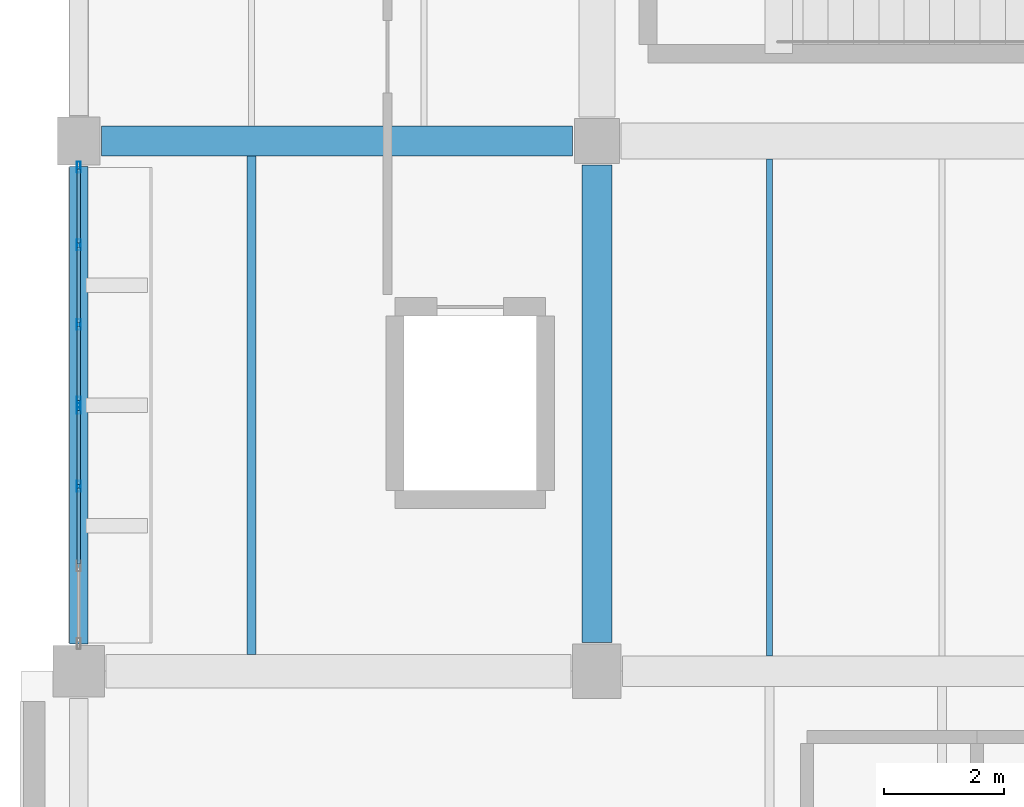
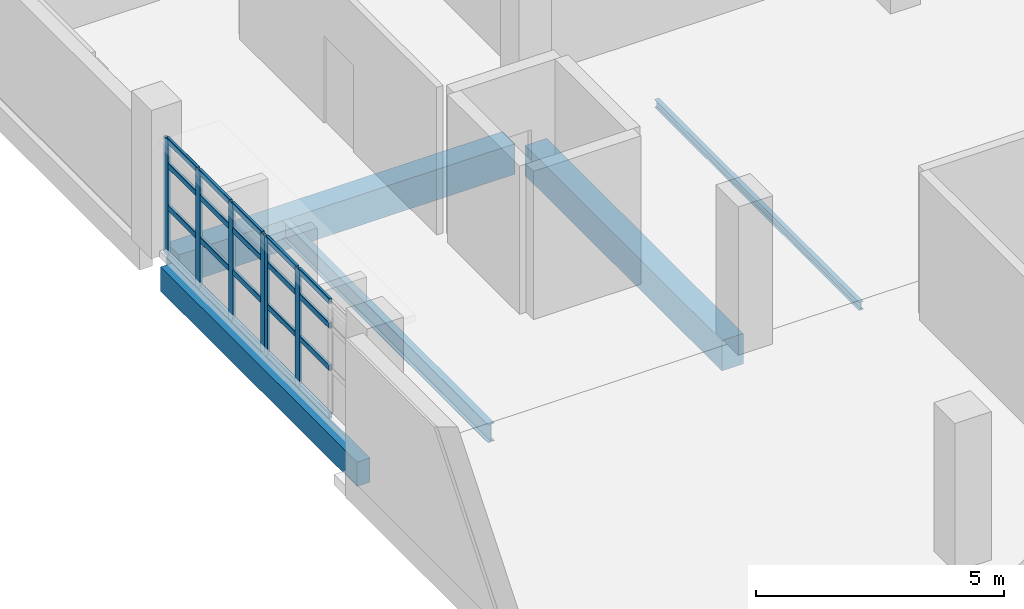
# One storey, part 14 of 80: 26 members, 5 beams, 2 elements without a shape of their own.
"""IFC4 building model written with IfcOpenShell, lengths in metres."""

import ifcopenshell
import ifcopenshell.guid

model = None  # the IFC model being written
_history = None  # IfcOwnerHistory: only IFC2X3 demands one
_inside = {}  # id of a spatial element -> (the spatial element, [elements in it])
_under = {}  # id of a project, library or spatial element -> (it, [spatial elements below it])
_declared = {}  # id of a project -> (the project, [libraries it declares])
_typed = {}  # id of a type object -> (the type object, [elements of that type])
_made_of = {}  # id of a material, layer set ... -> (it, [elements and type objects made of it])


def new_model(schema):
    """Start an empty IFC model of exactly this schema.

    Asked for "IFC4X3", IfcOpenShell would pick the latest addendum, in which some entities
    have other attributes; the version numbers below select the first issue.
    IFC2X3 requires an IfcOwnerHistory on every rooted entity: one is made here for all.
    """
    global model, _history
    if schema == "IFC4X3":
        model = ifcopenshell.file(schema_version=(4, 3, 0, 0))
    else:
        model = ifcopenshell.file(schema=schema)
    _inside.clear()
    _under.clear()
    _declared.clear()
    _typed.clear()
    _made_of.clear()
    _history = None
    if model.schema == "IFC2X3":
        org = make("IfcOrganization", Name="unknown")
        user = make(
            "IfcPersonAndOrganization",
            ThePerson=make("IfcPerson", FamilyName="unknown"),
            TheOrganization=org,
        )
        app = make(
            "IfcApplication",
            ApplicationDeveloper=org,
            Version="unknown",
            ApplicationFullName="unknown",
            ApplicationIdentifier="unknown",
        )
        _history = make(
            "IfcOwnerHistory",
            OwningUser=user,
            OwningApplication=app,
            ChangeAction="ADDED",
            CreationDate=0,
        )
    return model


def make(cls, **values):
    """One entity of the class cls with the attributes given. An attribute that is None is left unset."""
    return model.create_entity(
        cls, **{name: value for name, value in values.items() if value is not None}
    )


def rooted(cls, **values):
    """An entity with a GlobalId (a new one), such as an element, a storey or a relation."""
    return make(cls, GlobalId=ifcopenshell.guid.new(), OwnerHistory=_history, **values)


def si_unit(unit_type, name, prefix=None):
    """IfcSIUnit, for example si_unit("LENGTHUNIT", "METRE", prefix="MILLI")."""
    return make("IfcSIUnit", UnitType=unit_type, Prefix=prefix, Name=name)


def assignment(units):
    """IfcUnitAssignment: the units of a project."""
    return None if units is None else make("IfcUnitAssignment", Units=units)


def point(xyz):
    """IfcCartesianPoint."""
    return None if xyz is None else make("IfcCartesianPoint", Coordinates=xyz)


def direction(xyz):
    """IfcDirection."""
    return None if xyz is None else make("IfcDirection", DirectionRatios=xyz)


def frame(location, z_axis=None, x_axis=None):
    """IfcAxis2Placement3D, a coordinate frame: its origin and axes. An axis left out is left unset."""
    return make(
        "IfcAxis2Placement3D",
        Location=point(location),
        Axis=direction(z_axis),
        RefDirection=direction(x_axis),
    )


def frame_2d(location, x_axis=None):
    """IfcAxis2Placement2D, a coordinate frame in the plane: its origin and x axis."""
    return make(
        "IfcAxis2Placement2D", Location=point(location), RefDirection=direction(x_axis)
    )


def origin():
    """The frame at (0, 0, 0) with its axes left unset."""
    return frame((0.0, 0.0, 0.0))


def origin_2d():
    """The frame at (0, 0) in the plane with its x axis left unset."""
    return frame_2d((0.0, 0.0))


def place(relative_to, where):
    """IfcLocalPlacement: puts the frame where relative to a parent placement (None: the world)."""
    return make(
        "IfcLocalPlacement", PlacementRelTo=relative_to, RelativePlacement=where
    )


def context(
    kind, dimensions, precision=None, world=None, true_north=None, identifier=None
):
    """IfcGeometricRepresentationContext, for example the 3D "Model" context."""
    return make(
        "IfcGeometricRepresentationContext",
        ContextIdentifier=identifier,
        ContextType=kind,
        CoordinateSpaceDimension=dimensions,
        Precision=precision,
        WorldCoordinateSystem=world,
        TrueNorth=true_north,
    )


def subcontext(parent, identifier, kind, view, scale=None):
    """IfcGeometricRepresentationSubContext, for example "Body" below "Model"."""
    return make(
        "IfcGeometricRepresentationSubContext",
        ContextIdentifier=identifier,
        ContextType=kind,
        ParentContext=parent,
        TargetScale=scale,
        TargetView=view,
    )


def project(units=None, contexts=None):
    """IfcProject with its units and contexts."""
    return rooted(
        "IfcProject",
        Name="project",
        RepresentationContexts=contexts,
        UnitsInContext=assignment(units),
    )


def spatial(cls, under=None, at=None, **own):
    """A site, building, storey or space (cls), placed at a placement, below another one or the project."""
    s = rooted(cls, ObjectPlacement=at, **own)
    if under is not None:
        _under.setdefault(under.id(), (under, []))[1].append(s)
    return s


def profile(cls, at=None, kind="AREA", **sizes):
    """A parametric profile (cls). Its sizes go by their IFC names, for example OverallWidth=200.0."""
    return make(cls, ProfileType=kind, Position=at, **sizes)


def rectangle(**sizes):
    """IfcRectangleProfileDef."""
    return profile("IfcRectangleProfileDef", **sizes)


def hollow_rectangle(**sizes):
    """IfcRectangleHollowProfileDef."""
    return profile("IfcRectangleHollowProfileDef", **sizes)


def i_section(**sizes):
    """IfcIShapeProfileDef."""
    return profile("IfcIShapeProfileDef", **sizes)


def extrude(swept, where, along, depth):
    """IfcExtrudedAreaSolid: the profile swept, set in the frame where, extruded along a direction by depth."""
    return make(
        "IfcExtrudedAreaSolid",
        SweptArea=swept,
        Position=where,
        ExtrudedDirection=direction(along),
        Depth=depth,
    )


def shape(context_of_items, identifier, shape_type, items):
    """IfcShapeRepresentation: the items that make up one representation, for example the "Body"."""
    return make(
        "IfcShapeRepresentation",
        ContextOfItems=context_of_items,
        RepresentationIdentifier=identifier,
        RepresentationType=shape_type,
        Items=items,
    )


def material(Name=None, Category=None):
    """IfcMaterial."""
    return make("IfcMaterial", Name=Name, Category=Category)


def material_profile(
    of_material, cross_section, Name=None, Category=None, Priority=None
):
    """IfcMaterialProfile: a cross section and its material."""
    return make(
        "IfcMaterialProfile",
        Name=Name,
        Material=of_material,
        Profile=cross_section,
        Priority=Priority,
        Category=Category,
    )


def profile_set(profiles, Name=None, composite=None):
    """IfcMaterialProfileSet."""
    return make(
        "IfcMaterialProfileSet",
        Name=Name,
        MaterialProfiles=profiles,
        CompositeProfile=composite,
    )


def made_of(thing, what):
    """Note that an element or type object is made of a material, layer set ...; save() writes the relation."""
    if what is not None:
        _made_of.setdefault(what.id(), (what, []))[1].append(thing)
    return thing


def type_object(cls, material=None, **own):
    """A type object (cls), such as IfcWallType, which elements share."""
    return made_of(rooted(cls, **own), material)


def element(
    cls,
    number,
    at=None,
    inside=None,
    cuts=None,
    type_object=None,
    material=None,
    context=None,
    identifier="Body",
    shape_type=None,
    held_by="IfcProductDefinitionShape",
    body=None,
    shapes=None,
    **own,
):
    """One element of the class cls, such as IfcWall. Its Tag is "e" and its number.

    at: its placement. inside: the storey or other place that contains it. cuts: it is an
    opening in that element (IfcRelVoidsElement). A single representation is given by context,
    identifier, shape_type and body (its items); several are given by shapes. held_by: the class
    of the entity that holds the representations. save() writes the other relations.
    """
    e = rooted(cls, Tag="e%d" % number, ObjectPlacement=at, **own)
    if body is not None:
        shapes = [shape(context, identifier, shape_type, body)]
    if shapes is not None:
        e.Representation = make(held_by, Representations=shapes)
    if inside is not None:
        _inside.setdefault(inside.id(), (inside, []))[1].append(e)
    if cuts is not None:
        rooted(
            "IfcRelVoidsElement", RelatingBuildingElement=cuts, RelatedOpeningElement=e
        )
    if type_object is not None:
        _typed.setdefault(type_object.id(), (type_object, []))[1].append(e)
    return made_of(e, material)


def aggregate(whole, parts):
    """IfcRelAggregates: a whole, such as a stair, and the parts it consists of."""
    return rooted("IfcRelAggregates", RelatingObject=whole, RelatedObjects=parts)


def save(model, path):
    """Write the relations noted so far, then the file.

    IfcRelAggregates (storeys below a building ...), IfcRelContainedInSpatialStructure (elements
    in a storey), IfcRelDefinesByType, IfcRelAssociatesMaterial and IfcRelDeclares: one each for
    every whole, place, type object, material and project.
    """
    for whole, parts in _under.values():
        aggregate(whole, parts)
    for where, things in _inside.values():
        rooted(
            "IfcRelContainedInSpatialStructure",
            RelatedElements=things,
            RelatingStructure=where,
        )
    for kind, things in _typed.values():
        rooted("IfcRelDefinesByType", RelatedObjects=things, RelatingType=kind)
    for what, things in _made_of.values():
        rooted("IfcRelAssociatesMaterial", RelatedObjects=things, RelatingMaterial=what)
    for by, libraries in _declared.values():
        rooted("IfcRelDeclares", RelatingContext=by, RelatedDefinitions=libraries)
    model.write(path)


model = new_model("IFC4")

# Units and contexts
model_context = context("Model", 3, precision=1e-05, world=origin(), true_north=direction((0.0, 1.0)))
body_context = subcontext(model_context, "Body", "Model", "MODEL_VIEW")
ifc_project = project(units=[si_unit("LENGTHUNIT", "METRE"), si_unit("AREAUNIT", "SQUARE_METRE"), si_unit("VOLUMEUNIT", "CUBIC_METRE"), si_unit("PLANEANGLEUNIT", "RADIAN"), si_unit("MASSUNIT", "GRAM", prefix="KILO")], contexts=[model_context])

# Site, building, storey
site_placement = place(None, origin())
site = spatial("IfcSite", under=ifc_project, at=site_placement, CompositionType="ELEMENT")
building_placement = place(site_placement, origin())
building = spatial("IfcBuilding", under=site, at=building_placement, Name="Varnakota Cinema and Media Centre", CompositionType="ELEMENT")
storey_placement = place(building_placement, frame((0.0, 0.0, 4.5)))
storey = spatial("IfcBuildingStorey", under=building, at=storey_placement, Name="L01", CompositionType="ELEMENT", Elevation=4.5)

# Beams
ifc_material_1 = material(Name="Concrete M35", Category="concrete")
ifc_material_profile_1 = material_profile(ifc_material_1, rectangle(XDim=0.5, YDim=0.75, at=origin_2d()), Name="RCB 500x750")
ifc_profile_set_1 = profile_set([ifc_material_profile_1], Name="Concrete M35")
beam_type_1 = type_object("IfcBeamType", Name="BM-RC-500x750", PredefinedType="BEAM", material=ifc_profile_set_1)
beam_1_placement = place(storey_placement, frame((0.375, 44.0, -0.625), z_axis=(1.0, 0.0, 0.0), x_axis=(0.0, 1.0, 0.0)))
element("IfcBeam", 1, at=beam_1_placement, inside=storey, type_object=beam_type_1, Name="L01 girder A-B/6", PredefinedType="BEAM", context=body_context, shape_type="SweptSolid", body=[
    extrude(rectangle(XDim=0.5, YDim=0.75, at=origin_2d()), origin(), (0.0, 0.0, 1.0), 7.824951171875),
])
beam_2_placement = place(storey_placement, frame((8.60009765625, 35.675048828125, -0.625), z_axis=(0.0, 1.0, 0.0), x_axis=(-1.0, 0.0, 0.0)))
element("IfcBeam", 2, at=beam_2_placement, inside=storey, type_object=beam_type_1, Name="L01 girder B/5-6", PredefinedType="BEAM", context=body_context, shape_type="SweptSolid", body=[
    extrude(rectangle(XDim=0.5, YDim=0.75, at=origin_2d()), origin(), (0.0, 0.0, 1.0), 7.925048828125),
])
ifc_material_2 = material(Name="Concrete M35", Category="concrete")
ifc_material_profile_2 = material_profile(ifc_material_2, rectangle(XDim=0.300048828125, YDim=0.60009765625, at=origin_2d()), Name="RCB 300x600")
ifc_profile_set_2 = profile_set([ifc_material_profile_2], Name="Concrete M35")
beam_type_2 = type_object("IfcBeamType", Name="BM-SP-300x600", PredefinedType="SPANDREL", material=ifc_profile_set_2)
beam_3_placement = place(storey_placement, frame((0.0, 35.64990234375, -0.550048828125), z_axis=(0.0, 1.0, 0.0), x_axis=(-1.0, 0.0, 0.0)))
element("IfcBeam", 3, at=beam_3_placement, inside=storey, type_object=beam_type_2, Name="L01 girder A/5-6", PredefinedType="SPANDREL", context=body_context, shape_type="SweptSolid", body=[
    extrude(rectangle(XDim=0.300048828125, YDim=0.60009765625, at=origin_2d()), origin(), (0.0, 0.0, 1.0), 7.925048828125),
])
ifc_material_3 = material(Name="Structural steel Grade 350 (E350)", Category="steel")
ifc_material_profile_3 = material_profile(ifc_material_3, i_section(OverallWidth=0.10009765625, OverallDepth=0.199951171875, WebThickness=0.005615234375, FlangeThickness=0.0107421875, FilletRadius=0.010986328125, at=origin_2d()), Name="ISMB 200")
ifc_profile_set_3 = profile_set([ifc_material_profile_3], Name="Structural steel Grade 350 (E350)")
beam_type_3 = type_object("IfcBeamType", Name="BM-ST-ISMB200", PredefinedType="JOIST", material=ifc_profile_set_3)
beam_4_placement = place(storey_placement, frame((11.466796875, 35.449951171875, -0.35009765625), z_axis=(0.0, 1.0, 0.0), x_axis=(-1.0, 0.0, 0.0)))
element("IfcBeam", 4, at=beam_4_placement, inside=storey, type_object=beam_type_3, Name="L01 steel joist B-C/5-6 #1", PredefinedType="JOIST", context=body_context, shape_type="SweptSolid", body=[
    extrude(i_section(OverallWidth=0.10009765625, OverallDepth=0.199951171875, WebThickness=0.005615234375, FlangeThickness=0.0107421875, FilletRadius=0.010986328125, at=origin_2d()), origin(), (0.0, 0.0, 1.0), 8.25),
])
ifc_material_4 = material(Name="Structural steel Grade 350 (E350)", Category="steel")
ifc_material_profile_4 = material_profile(ifc_material_4, i_section(OverallWidth=0.14990234375, OverallDepth=0.449951171875, WebThickness=0.009521484375, FlangeThickness=0.017333984375, FilletRadius=0.014892578125, at=origin_2d()), Name="ISMB 450")
ifc_profile_set_4 = profile_set([ifc_material_profile_4], Name="Structural steel Grade 350 (E350)")
beam_type_4 = type_object("IfcBeamType", Name="BM-ST-ISMB450", PredefinedType="BEAM", material=ifc_profile_set_4)
beam_5_placement = place(storey_placement, frame((2.86669921875, 35.47509765625, -0.47509765625), z_axis=(0.0, 1.0, 0.0), x_axis=(-1.0, 0.0, 0.0)))
element("IfcBeam", 5, at=beam_5_placement, inside=storey, type_object=beam_type_4, Name="L01 steel joist A-B/5-6 #1", PredefinedType="BEAM", context=body_context, shape_type="SweptSolid", body=[
    extrude(i_section(OverallWidth=0.14990234375, OverallDepth=0.449951171875, WebThickness=0.009521484375, FlangeThickness=0.017333984375, FilletRadius=0.014892578125, at=origin_2d()), origin(), (0.0, 0.0, 1.0), 8.27490234375),
])

# Curtain wall, members
ifc_material_5 = material(Name="Thermally broken anodised aluminium AW-6063", Category="aluminium")
curtain_wall_type = type_object("IfcCurtainWallType", Name="CW-STD-397x288", PredefinedType="USERDEFINED", material=ifc_material_5)
curtain_wall_1_placement = place(storey_placement, origin())
curtain_wall_1 = element("IfcCurtainWall", 6, at=curtain_wall_1_placement, inside=storey, type_object=curtain_wall_type, Name="L01 curtain wall CW-L01-V5-W-05-1", ObjectType="UNITISED CURTAIN WALL", PredefinedType="USERDEFINED")
ifc_material_6 = material(Name="Thermally broken anodised aluminium AW-6063", Category="aluminium")
ifc_material_profile_5 = material_profile(ifc_material_6, hollow_rectangle(XDim=0.06494140625, YDim=0.179931640625, WallThickness=0.00390625, InnerFilletRadius=0.00390625, OuterFilletRadius=0.008056640625, at=origin_2d()), Name="AL-MULLION 180x65x4")
ifc_profile_set_5 = profile_set([ifc_material_profile_5], Name="Thermally broken anodised aluminium AW-6063")
member_type_1 = type_object("IfcMemberType", Name="CWM-AL-180", PredefinedType="MULLION", material=ifc_profile_set_5)
member_1_placement = place(storey_placement, frame((0.0, 43.5673828125, 0.0), z_axis=(0.0, 0.0, 1.0), x_axis=(1.0, 0.0, 0.0)))
member_1 = element("IfcMember", 7, at=member_1_placement, type_object=member_type_1, Name="CW28 mullion 1", PredefinedType="MULLION", context=body_context, shape_type="SweptSolid", body=[
    extrude(hollow_rectangle(XDim=0.06494140625, YDim=0.179931640625, WallThickness=0.00390625, InnerFilletRadius=0.00390625, OuterFilletRadius=0.008056640625, at=origin_2d()), origin(), (0.0, 0.0, 1.0), 2.885009765625),
])
member_2_placement = place(storey_placement, frame((0.0, 42.277587890625, 0.0), z_axis=(0.0, 0.0, 1.0), x_axis=(1.0, 0.0, 0.0)))
member_2 = element("IfcMember", 8, at=member_2_placement, type_object=member_type_1, Name="CW28 mullion 2", PredefinedType="MULLION", context=body_context, shape_type="SweptSolid", body=[
    extrude(hollow_rectangle(XDim=0.06494140625, YDim=0.179931640625, WallThickness=0.00390625, InnerFilletRadius=0.00390625, OuterFilletRadius=0.008056640625, at=origin_2d()), origin(), (0.0, 0.0, 1.0), 2.885009765625),
])
member_3_placement = place(storey_placement, frame((0.0, 40.955078125, 0.0), z_axis=(0.0, 0.0, 1.0), x_axis=(1.0, 0.0, 0.0)))
member_3 = element("IfcMember", 9, at=member_3_placement, type_object=member_type_1, Name="CW28 mullion 3", PredefinedType="MULLION", context=body_context, shape_type="SweptSolid", body=[
    extrude(hollow_rectangle(XDim=0.06494140625, YDim=0.179931640625, WallThickness=0.00390625, InnerFilletRadius=0.00390625, OuterFilletRadius=0.008056640625, at=origin_2d()), origin(), (0.0, 0.0, 1.0), 2.885009765625),
])
member_4_placement = place(storey_placement, frame((0.0, 39.6650390625, 0.0), z_axis=(0.0, 0.0, 1.0), x_axis=(1.0, 0.0, 0.0)))
member_4 = element("IfcMember", 10, at=member_4_placement, type_object=member_type_1, Name="CW28 mullion 4", PredefinedType="MULLION", context=body_context, shape_type="SweptSolid", body=[
    extrude(hollow_rectangle(XDim=0.06494140625, YDim=0.179931640625, WallThickness=0.00390625, InnerFilletRadius=0.00390625, OuterFilletRadius=0.008056640625, at=origin_2d()), origin(), (0.0, 0.0, 1.0), 2.885009765625),
])

curtain_wall_2_placement = place(storey_placement, origin())
curtain_wall_2 = element("IfcCurtainWall", 11, at=curtain_wall_2_placement, inside=storey, type_object=curtain_wall_type, Name="L01 curtain wall CW-L01-V5-W-05-2", ObjectType="UNITISED CURTAIN WALL", PredefinedType="USERDEFINED")
member_5_placement = place(storey_placement, frame((0.0, 39.56005859375, 0.0), z_axis=(0.0, 0.0, 1.0), x_axis=(1.0, 0.0, 0.0)))
member_5 = element("IfcMember", 12, at=member_5_placement, type_object=member_type_1, Name="CW28 mullion 1", PredefinedType="MULLION", context=body_context, shape_type="SweptSolid", body=[
    extrude(hollow_rectangle(XDim=0.06494140625, YDim=0.179931640625, WallThickness=0.00390625, InnerFilletRadius=0.00390625, OuterFilletRadius=0.008056640625, at=origin_2d()), origin(), (0.0, 0.0, 1.0), 2.885009765625),
])
member_6_placement = place(storey_placement, frame((0.0, 38.27001953125, 0.0), z_axis=(0.0, 0.0, 1.0), x_axis=(1.0, 0.0, 0.0)))
member_6 = element("IfcMember", 13, at=member_6_placement, type_object=member_type_1, Name="CW28 mullion 2", PredefinedType="MULLION", context=body_context, shape_type="SweptSolid", body=[
    extrude(hollow_rectangle(XDim=0.06494140625, YDim=0.179931640625, WallThickness=0.00390625, InnerFilletRadius=0.00390625, OuterFilletRadius=0.008056640625, at=origin_2d()), origin(), (0.0, 0.0, 1.0), 2.885009765625),
])

# Member
ifc_material_7 = material(Name="Thermally broken anodised aluminium AW-6063", Category="aluminium")
ifc_material_profile_6 = material_profile(ifc_material_7, hollow_rectangle(XDim=0.06494140625, YDim=0.139892578125, WallThickness=0.00390625, InnerFilletRadius=0.00390625, OuterFilletRadius=0.008056640625, at=origin_2d()), Name="AL-TRANSOM 140x65x4")
ifc_profile_set_6 = profile_set([ifc_material_profile_6], Name="Thermally broken anodised aluminium AW-6063")
member_type_2 = type_object("IfcMemberType", Name="CWT-AL-140", PredefinedType="USERDEFINED", material=ifc_profile_set_6)
member_7_placement = place(storey_placement, frame((0.0, 43.534912109375, 0.032470703125), z_axis=(0.0, -1.0, 0.0), x_axis=(1.0, 0.0, 0.0)))
member_7 = element("IfcMember", 14, at=member_7_placement, type_object=member_type_2, Name="CW28 transom 1.1", ObjectType="TRANSOM", PredefinedType="USERDEFINED", context=body_context, shape_type="SweptSolid", body=[
    extrude(hollow_rectangle(XDim=0.06494140625, YDim=0.139892578125, WallThickness=0.00390625, InnerFilletRadius=0.00390625, OuterFilletRadius=0.008056640625, at=origin_2d()), origin(), (0.0, 0.0, 1.0), 1.224853515625),
])

member_8_placement = place(storey_placement, frame((0.0, 43.534912109375, 1.211669921875), z_axis=(0.0, -1.0, 0.0), x_axis=(1.0, 0.0, 0.0)))
member_8 = element("IfcMember", 15, at=member_8_placement, type_object=member_type_2, Name="CW28 transom 1.2", ObjectType="TRANSOM", PredefinedType="USERDEFINED", context=body_context, shape_type="SweptSolid", body=[
    extrude(hollow_rectangle(XDim=0.06494140625, YDim=0.139892578125, WallThickness=0.00390625, InnerFilletRadius=0.00390625, OuterFilletRadius=0.008056640625, at=origin_2d()), origin(), (0.0, 0.0, 1.0), 1.224853515625),
])

member_9_placement = place(storey_placement, frame((0.0, 43.534912109375, 2.250244140625), z_axis=(0.0, -1.0, 0.0), x_axis=(1.0, 0.0, 0.0)))
member_9 = element("IfcMember", 16, at=member_9_placement, type_object=member_type_2, Name="CW28 transom 1.3", ObjectType="TRANSOM", PredefinedType="USERDEFINED", context=body_context, shape_type="SweptSolid", body=[
    extrude(hollow_rectangle(XDim=0.06494140625, YDim=0.139892578125, WallThickness=0.00390625, InnerFilletRadius=0.00390625, OuterFilletRadius=0.008056640625, at=origin_2d()), origin(), (0.0, 0.0, 1.0), 1.224853515625),
])

member_10_placement = place(storey_placement, frame((0.0, 43.534912109375, 2.8525390625), z_axis=(0.0, -1.0, 0.0), x_axis=(1.0, 0.0, 0.0)))
member_10 = element("IfcMember", 17, at=member_10_placement, type_object=member_type_2, Name="CW28 transom 1.4", ObjectType="TRANSOM", PredefinedType="USERDEFINED", context=body_context, shape_type="SweptSolid", body=[
    extrude(hollow_rectangle(XDim=0.06494140625, YDim=0.139892578125, WallThickness=0.00390625, InnerFilletRadius=0.00390625, OuterFilletRadius=0.008056640625, at=origin_2d()), origin(), (0.0, 0.0, 1.0), 1.224853515625),
])

member_11_placement = place(storey_placement, frame((0.0, 42.2451171875, 0.032470703125), z_axis=(0.0, -1.0, 0.0), x_axis=(1.0, 0.0, 0.0)))
member_11 = element("IfcMember", 18, at=member_11_placement, type_object=member_type_2, Name="CW28 transom 2.1", ObjectType="TRANSOM", PredefinedType="USERDEFINED", context=body_context, shape_type="SweptSolid", body=[
    extrude(hollow_rectangle(XDim=0.06494140625, YDim=0.139892578125, WallThickness=0.00390625, InnerFilletRadius=0.00390625, OuterFilletRadius=0.008056640625, at=origin_2d()), origin(), (0.0, 0.0, 1.0), 1.257568359375),
])

member_12_placement = place(storey_placement, frame((0.0, 42.2451171875, 1.211669921875), z_axis=(0.0, -1.0, 0.0), x_axis=(1.0, 0.0, 0.0)))
member_12 = element("IfcMember", 19, at=member_12_placement, type_object=member_type_2, Name="CW28 transom 2.2", ObjectType="TRANSOM", PredefinedType="USERDEFINED", context=body_context, shape_type="SweptSolid", body=[
    extrude(hollow_rectangle(XDim=0.06494140625, YDim=0.139892578125, WallThickness=0.00390625, InnerFilletRadius=0.00390625, OuterFilletRadius=0.008056640625, at=origin_2d()), origin(), (0.0, 0.0, 1.0), 1.257568359375),
])

member_13_placement = place(storey_placement, frame((0.0, 42.2451171875, 2.250244140625), z_axis=(0.0, -1.0, 0.0), x_axis=(1.0, 0.0, 0.0)))
member_13 = element("IfcMember", 20, at=member_13_placement, type_object=member_type_2, Name="CW28 transom 2.3", ObjectType="TRANSOM", PredefinedType="USERDEFINED", context=body_context, shape_type="SweptSolid", body=[
    extrude(hollow_rectangle(XDim=0.06494140625, YDim=0.139892578125, WallThickness=0.00390625, InnerFilletRadius=0.00390625, OuterFilletRadius=0.008056640625, at=origin_2d()), origin(), (0.0, 0.0, 1.0), 1.257568359375),
])

member_14_placement = place(storey_placement, frame((0.0, 42.2451171875, 2.8525390625), z_axis=(0.0, -1.0, 0.0), x_axis=(1.0, 0.0, 0.0)))
member_14 = element("IfcMember", 21, at=member_14_placement, type_object=member_type_2, Name="CW28 transom 2.4", ObjectType="TRANSOM", PredefinedType="USERDEFINED", context=body_context, shape_type="SweptSolid", body=[
    extrude(hollow_rectangle(XDim=0.06494140625, YDim=0.139892578125, WallThickness=0.00390625, InnerFilletRadius=0.00390625, OuterFilletRadius=0.008056640625, at=origin_2d()), origin(), (0.0, 0.0, 1.0), 1.257568359375),
])

member_15_placement = place(storey_placement, frame((0.0, 40.922607421875, 0.032470703125), z_axis=(0.0, -1.0, 0.0), x_axis=(1.0, 0.0, 0.0)))
member_15 = element("IfcMember", 22, at=member_15_placement, type_object=member_type_2, Name="CW28 transom 3.1", ObjectType="TRANSOM", PredefinedType="USERDEFINED", context=body_context, shape_type="SweptSolid", body=[
    extrude(hollow_rectangle(XDim=0.06494140625, YDim=0.139892578125, WallThickness=0.00390625, InnerFilletRadius=0.00390625, OuterFilletRadius=0.008056640625, at=origin_2d()), origin(), (0.0, 0.0, 1.0), 1.22509765625),
])

member_16_placement = place(storey_placement, frame((0.0, 40.922607421875, 1.211669921875), z_axis=(0.0, -1.0, 0.0), x_axis=(1.0, 0.0, 0.0)))
member_16 = element("IfcMember", 23, at=member_16_placement, type_object=member_type_2, Name="CW28 transom 3.2", ObjectType="TRANSOM", PredefinedType="USERDEFINED", context=body_context, shape_type="SweptSolid", body=[
    extrude(hollow_rectangle(XDim=0.06494140625, YDim=0.139892578125, WallThickness=0.00390625, InnerFilletRadius=0.00390625, OuterFilletRadius=0.008056640625, at=origin_2d()), origin(), (0.0, 0.0, 1.0), 1.22509765625),
])

member_17_placement = place(storey_placement, frame((0.0, 40.922607421875, 2.250244140625), z_axis=(0.0, -1.0, 0.0), x_axis=(1.0, 0.0, 0.0)))
member_17 = element("IfcMember", 24, at=member_17_placement, type_object=member_type_2, Name="CW28 transom 3.3", ObjectType="TRANSOM", PredefinedType="USERDEFINED", context=body_context, shape_type="SweptSolid", body=[
    extrude(hollow_rectangle(XDim=0.06494140625, YDim=0.139892578125, WallThickness=0.00390625, InnerFilletRadius=0.00390625, OuterFilletRadius=0.008056640625, at=origin_2d()), origin(), (0.0, 0.0, 1.0), 1.22509765625),
])

member_18_placement = place(storey_placement, frame((0.0, 40.922607421875, 2.8525390625), z_axis=(0.0, -1.0, 0.0), x_axis=(1.0, 0.0, 0.0)))
member_18 = element("IfcMember", 25, at=member_18_placement, type_object=member_type_2, Name="CW28 transom 3.4", ObjectType="TRANSOM", PredefinedType="USERDEFINED", context=body_context, shape_type="SweptSolid", body=[
    extrude(hollow_rectangle(XDim=0.06494140625, YDim=0.139892578125, WallThickness=0.00390625, InnerFilletRadius=0.00390625, OuterFilletRadius=0.008056640625, at=origin_2d()), origin(), (0.0, 0.0, 1.0), 1.22509765625),
])

aggregate(curtain_wall_1, [member_1, member_2, member_3, member_4, member_7, member_8, member_9, member_10, member_11, member_12, member_13, member_14, member_15, member_16, member_17, member_18])

member_19_placement = place(storey_placement, frame((0.0, 39.527587890625, 0.032470703125), z_axis=(0.0, -1.0, 0.0), x_axis=(1.0, 0.0, 0.0)))
member_19 = element("IfcMember", 26, at=member_19_placement, type_object=member_type_2, Name="CW28 transom 1.1", ObjectType="TRANSOM", PredefinedType="USERDEFINED", context=body_context, shape_type="SweptSolid", body=[
    extrude(hollow_rectangle(XDim=0.06494140625, YDim=0.139892578125, WallThickness=0.00390625, InnerFilletRadius=0.00390625, OuterFilletRadius=0.008056640625, at=origin_2d()), origin(), (0.0, 0.0, 1.0), 1.22509765625),
])

member_20_placement = place(storey_placement, frame((0.0, 39.527587890625, 1.211669921875), z_axis=(0.0, -1.0, 0.0), x_axis=(1.0, 0.0, 0.0)))
member_20 = element("IfcMember", 27, at=member_20_placement, type_object=member_type_2, Name="CW28 transom 1.2", ObjectType="TRANSOM", PredefinedType="USERDEFINED", context=body_context, shape_type="SweptSolid", body=[
    extrude(hollow_rectangle(XDim=0.06494140625, YDim=0.139892578125, WallThickness=0.00390625, InnerFilletRadius=0.00390625, OuterFilletRadius=0.008056640625, at=origin_2d()), origin(), (0.0, 0.0, 1.0), 1.22509765625),
])

member_21_placement = place(storey_placement, frame((0.0, 39.527587890625, 2.250244140625), z_axis=(0.0, -1.0, 0.0), x_axis=(1.0, 0.0, 0.0)))
member_21 = element("IfcMember", 28, at=member_21_placement, type_object=member_type_2, Name="CW28 transom 1.3", ObjectType="TRANSOM", PredefinedType="USERDEFINED", context=body_context, shape_type="SweptSolid", body=[
    extrude(hollow_rectangle(XDim=0.06494140625, YDim=0.139892578125, WallThickness=0.00390625, InnerFilletRadius=0.00390625, OuterFilletRadius=0.008056640625, at=origin_2d()), origin(), (0.0, 0.0, 1.0), 1.22509765625),
])

member_22_placement = place(storey_placement, frame((0.0, 39.527587890625, 2.8525390625), z_axis=(0.0, -1.0, 0.0), x_axis=(1.0, 0.0, 0.0)))
member_22 = element("IfcMember", 29, at=member_22_placement, type_object=member_type_2, Name="CW28 transom 1.4", ObjectType="TRANSOM", PredefinedType="USERDEFINED", context=body_context, shape_type="SweptSolid", body=[
    extrude(hollow_rectangle(XDim=0.06494140625, YDim=0.139892578125, WallThickness=0.00390625, InnerFilletRadius=0.00390625, OuterFilletRadius=0.008056640625, at=origin_2d()), origin(), (0.0, 0.0, 1.0), 1.22509765625),
])

member_23_placement = place(storey_placement, frame((0.0, 38.237548828125, 0.032470703125), z_axis=(0.0, -1.0, 0.0), x_axis=(1.0, 0.0, 0.0)))
member_23 = element("IfcMember", 30, at=member_23_placement, type_object=member_type_2, Name="CW28 transom 2.1", ObjectType="TRANSOM", PredefinedType="USERDEFINED", context=body_context, shape_type="SweptSolid", body=[
    extrude(hollow_rectangle(XDim=0.06494140625, YDim=0.139892578125, WallThickness=0.00390625, InnerFilletRadius=0.00390625, OuterFilletRadius=0.008056640625, at=origin_2d()), origin(), (0.0, 0.0, 1.0), 1.257568359375),
])

member_24_placement = place(storey_placement, frame((0.0, 38.237548828125, 1.211669921875), z_axis=(0.0, -1.0, 0.0), x_axis=(1.0, 0.0, 0.0)))
member_24 = element("IfcMember", 31, at=member_24_placement, type_object=member_type_2, Name="CW28 transom 2.2", ObjectType="TRANSOM", PredefinedType="USERDEFINED", context=body_context, shape_type="SweptSolid", body=[
    extrude(hollow_rectangle(XDim=0.06494140625, YDim=0.139892578125, WallThickness=0.00390625, InnerFilletRadius=0.00390625, OuterFilletRadius=0.008056640625, at=origin_2d()), origin(), (0.0, 0.0, 1.0), 1.257568359375),
])

member_25_placement = place(storey_placement, frame((0.0, 38.237548828125, 2.250244140625), z_axis=(0.0, -1.0, 0.0), x_axis=(1.0, 0.0, 0.0)))
member_25 = element("IfcMember", 32, at=member_25_placement, type_object=member_type_2, Name="CW28 transom 2.3", ObjectType="TRANSOM", PredefinedType="USERDEFINED", context=body_context, shape_type="SweptSolid", body=[
    extrude(hollow_rectangle(XDim=0.06494140625, YDim=0.139892578125, WallThickness=0.00390625, InnerFilletRadius=0.00390625, OuterFilletRadius=0.008056640625, at=origin_2d()), origin(), (0.0, 0.0, 1.0), 1.257568359375),
])

member_26_placement = place(storey_placement, frame((0.0, 38.237548828125, 2.8525390625), z_axis=(0.0, -1.0, 0.0), x_axis=(1.0, 0.0, 0.0)))
member_26 = element("IfcMember", 33, at=member_26_placement, type_object=member_type_2, Name="CW28 transom 2.4", ObjectType="TRANSOM", PredefinedType="USERDEFINED", context=body_context, shape_type="SweptSolid", body=[
    extrude(hollow_rectangle(XDim=0.06494140625, YDim=0.139892578125, WallThickness=0.00390625, InnerFilletRadius=0.00390625, OuterFilletRadius=0.008056640625, at=origin_2d()), origin(), (0.0, 0.0, 1.0), 1.257568359375),
])

aggregate(curtain_wall_2, [member_5, member_6, member_19, member_20, member_21, member_22, member_23, member_24, member_25, member_26])

save(model, "model.ifc")
